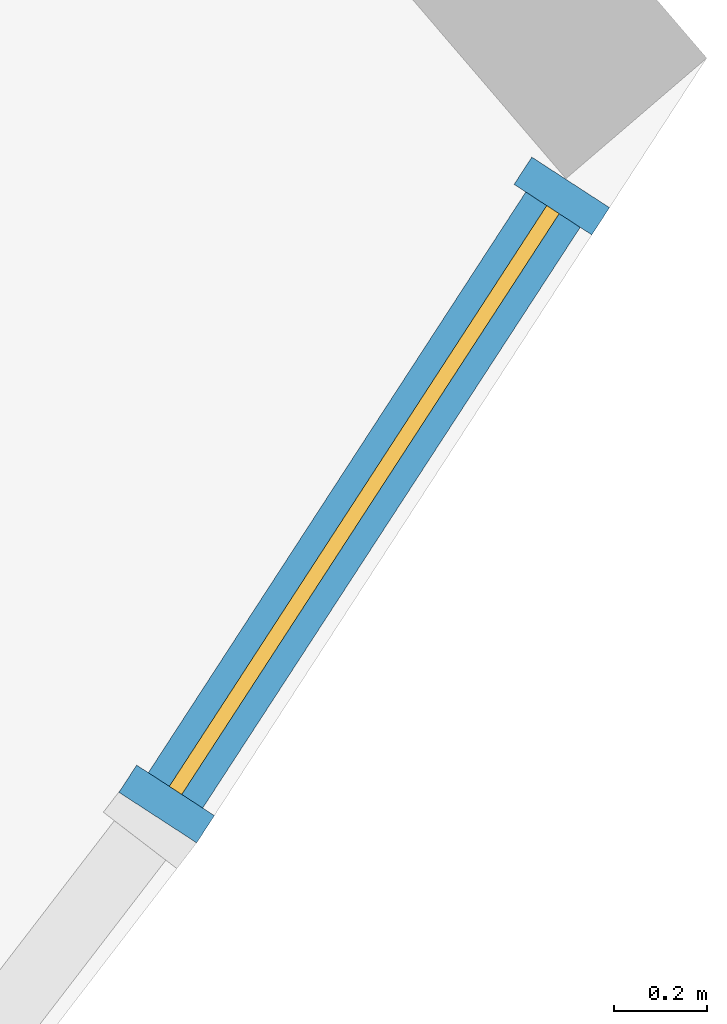
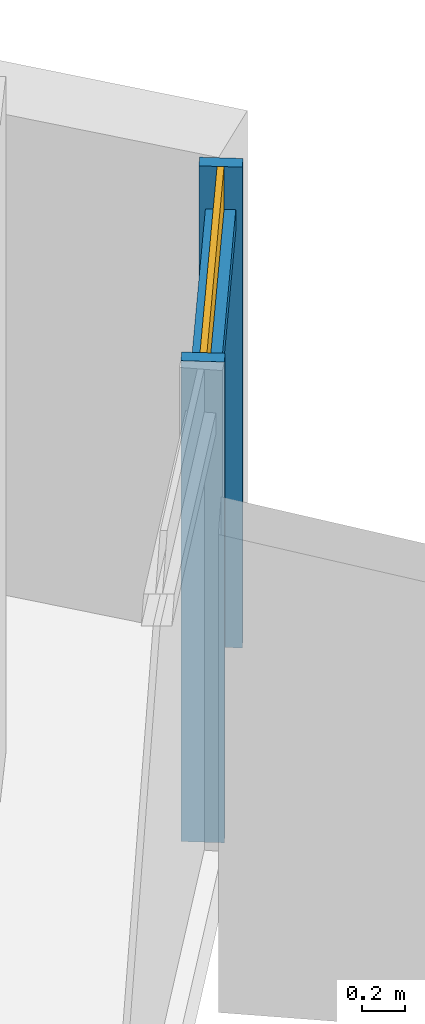
# One storey, part 23 of 31: 3 members, 1 curtain wall.
"""IFC4 building model written with IfcOpenShell, lengths in metres."""

from ifc_helpers import new_model, si_unit, direction, frame, origin, origin_2d, place, context, subcontext, project, spatial, rectangle, extrude, material, material_profile, profile_set, type_object, element, aggregate, save


model = new_model("IFC4")

# Units and contexts
model_context = context("Model", 3, precision=1e-05, world=origin(), true_north=direction((0.0, 1.0)))
body_context = subcontext(model_context, "Body", "Model", "MODEL_VIEW")
ifc_project = project(units=[si_unit("LENGTHUNIT", "METRE"), si_unit("AREAUNIT", "SQUARE_METRE"), si_unit("VOLUMEUNIT", "CUBIC_METRE"), si_unit("PLANEANGLEUNIT", "RADIAN"), si_unit("MASSUNIT", "GRAM", prefix="KILO")], contexts=[model_context])

# Member
ifc_material = material(Name="Aluminium 6063-T6 anodised", Category="aluminium")
ifc_material_profile_1 = material_profile(ifc_material, rectangle(XDim=0.199951171875, YDim=0.070068359375, at=origin_2d()))
ifc_profile_set_1 = profile_set([ifc_material_profile_1], Name="Aluminium 6063-T6 anodised")
member_type_1 = type_object("IfcMemberType", Name="Mullion 70 x 200 aluminium", PredefinedType="MULLION", material=ifc_profile_set_1)
site_placement = place(None, origin())
building_placement = place(site_placement, origin())
storey_placement = place(building_placement, frame((0.0, 0.0, 48.10009765625)))
member_1_placement = place(storey_placement, frame((66.161865234375, -44.167236328125, 0.0), z_axis=(0.0, 0.0, 1.0), x_axis=(-0.838446044711, 0.544984614561, 0.0)))
member_1 = element("IfcMember", 1, at=member_1_placement, type_object=member_type_1, Name="e-cw1-L08-out16/M00", PredefinedType="MULLION", context=body_context, shape_type="SweptSolid", body=[
    extrude(rectangle(XDim=0.199951171875, YDim=0.070068359375, at=origin_2d()), origin(), (0.0, 0.0, 1.0), 2.699951171875),
])

member_2_placement = place(storey_placement, frame((67.014404296875, -42.85546875, 0.0), z_axis=(0.0, 0.0, 1.0), x_axis=(-0.838446044711, 0.544984614561, 0.0)))
member_2 = element("IfcMember", 2, at=member_2_placement, type_object=member_type_1, Name="e-cw1-L08-out16/M01", PredefinedType="MULLION", context=body_context, shape_type="SweptSolid", body=[
    extrude(rectangle(XDim=0.199951171875, YDim=0.070068359375, at=origin_2d()), origin(), (0.0, 0.0, 1.0), 2.699951171875),
])

ifc_material_profile_2 = material_profile(ifc_material, rectangle(XDim=0.139892578125, YDim=0.1201171875, at=origin_2d()))
ifc_profile_set_2 = profile_set([ifc_material_profile_2], Name="Aluminium 6063-T6 anodised")
member_type_2 = type_object("IfcMemberType", Name="Transom 120 x 140 aluminium", PredefinedType="USERDEFINED", material=ifc_profile_set_2)
member_3_placement = place(storey_placement, frame((66.180908203125, -44.137939453125, 2.39990234375), z_axis=(0.54501132019, 0.838428685616, 0.0), x_axis=(-0.838428685616, 0.54501132019, 0.0)))
member_3 = element("IfcMember", 3, at=member_3_placement, type_object=member_type_2, Name="e-cw1-L08-out16/T00", ObjectType="TRANSOM", PredefinedType="USERDEFINED", context=body_context, shape_type="SweptSolid", body=[
    extrude(rectangle(XDim=0.139892578125, YDim=0.1201171875, at=origin_2d()), origin(), (0.0, 0.0, 1.0), 1.494384765625),
])

# Site, building, storey
site = spatial("IfcSite", under=ifc_project, at=site_placement, CompositionType="ELEMENT")
building = spatial("IfcBuilding", under=site, at=building_placement, Name="Qamariyya Broadcast Tower", CompositionType="ELEMENT")
storey = spatial("IfcBuildingStorey", under=building, at=storey_placement, Name="L08", CompositionType="ELEMENT", Elevation=48.10009765625)

# Curtain wall
curtain_wall_type = type_object("IfcCurtainWallType", Name="Unitised curtain wall, anodised aluminium", PredefinedType="NOTDEFINED", material=ifc_material)
curtain_wall_placement = place(storey_placement, origin())
curtain_wall = element("IfcCurtainWall", 4, at=curtain_wall_placement, inside=storey, type_object=curtain_wall_type, Name="e-cw1-L08-out16", PredefinedType="NOTDEFINED", context=body_context, shape_type="SweptSolid", body=[
    extrude(rectangle(XDim=1.49462890625, YDim=0.031982421875, at=origin_2d()), frame((66.588134765625, -43.511474609375, 0.0), x_axis=(0.544872845754, 0.838518683131, 0.0)), (0.0, 0.0, 1.0), 2.340087890625),
    extrude(rectangle(XDim=1.49462890625, YDim=0.031982421875, at=origin_2d()), frame((66.588134765625, -43.511474609375, 2.4599609375), x_axis=(0.544872845754, 0.838518683131, 0.0)), (0.0, 0.0, 1.0), 0.239990234375),
])

aggregate(curtain_wall, [member_1, member_2, member_3])

save(model, "model.ifc")
